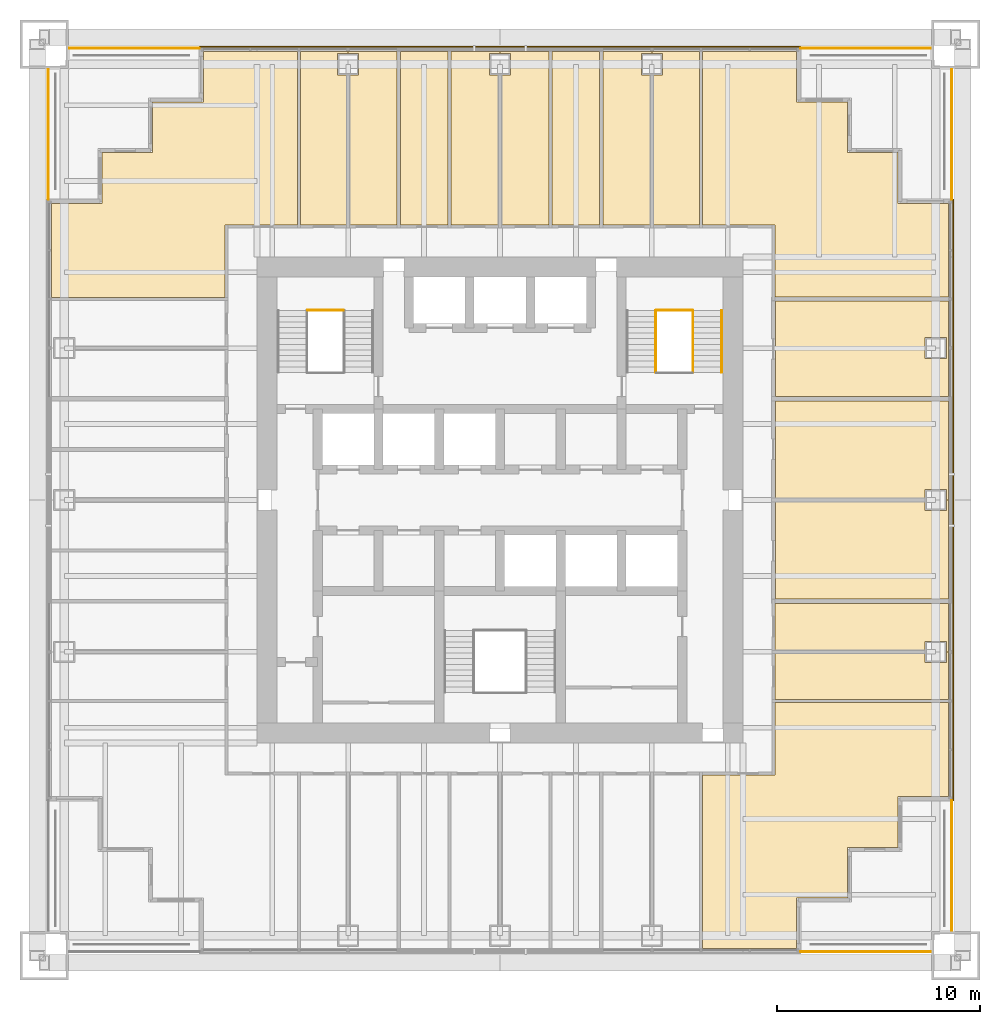
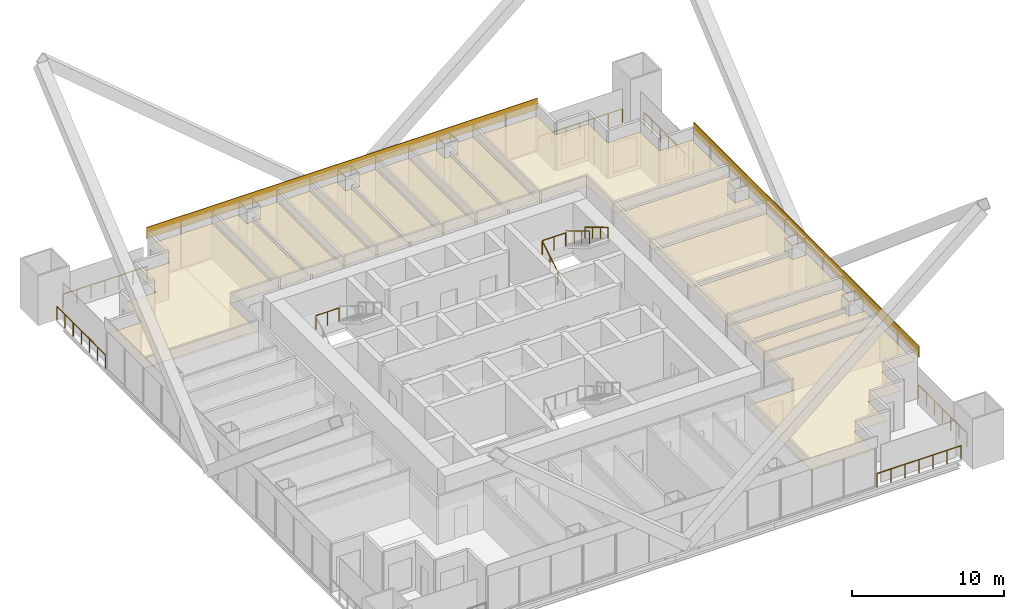
# One storey, part 17 of 17: 18 coverings, 11 railings.
"""IFC4 building model written with IfcOpenShell, lengths in metres."""

from ifc_helpers import new_model, si_unit, direction, frame, origin, origin_2d, place, context, subcontext, project, spatial, polyline, rectangle, circle, outline, extrude, material, layer, layer_set, type_object, element, save


model = new_model("IFC4")

# Units and contexts
model_context = context("Model", 3, precision=1e-05, world=origin(), true_north=direction((0.0, 1.0)))
body_context = subcontext(model_context, "Body", "Model", "MODEL_VIEW")
ifc_project = project(units=[si_unit("LENGTHUNIT", "METRE"), si_unit("AREAUNIT", "SQUARE_METRE"), si_unit("VOLUMEUNIT", "CUBIC_METRE"), si_unit("PLANEANGLEUNIT", "RADIAN"), si_unit("MASSUNIT", "GRAM", prefix="KILO")], contexts=[model_context])

# Site, building, storey
site_placement = place(None, origin())
site = spatial("IfcSite", under=ifc_project, at=site_placement, CompositionType="ELEMENT")
building_placement = place(site_placement, origin())
building = spatial("IfcBuilding", under=site, at=building_placement, Name="Tarangal Relay Tower", CompositionType="ELEMENT")
storey_placement = place(building_placement, frame((0.0, 0.0, 233.89990234375)))
storey = spatial("IfcBuildingStorey", under=building, at=storey_placement, Name="L50", CompositionType="ELEMENT", Elevation=233.89990234375)

# Coverings
ifc_material_1 = material(Name="Black anodised aluminium cladding", Category="aluminium")
ifc_layer_1 = layer(ifc_material_1, 0.050048828125)
ifc_layer_set_1 = layer_set([ifc_layer_1], Name="Black metal spandrel band")
covering_type_1 = type_object("IfcCoveringType", Name="Black metal spandrel band", PredefinedType="CLADDING", material=ifc_layer_set_1)
for number, where, z_axis, x_axis, name in (
    (1, (0.0, 22.375, 3.250244140625), (0.0, 0.0, 1.0), (1.0, 0.0, 0.0), "Spandrel band SB1 N L50"),
    (2, (22.375, 0.0, 3.250244140625), (0.0, 0.0, 1.0), (0.0, -1.0, 0.0), "Spandrel band SB1 E L50"),
):
    element("IfcCovering", number, at=place(storey_placement, frame(where, z_axis=z_axis, x_axis=x_axis)), inside=storey, type_object=covering_type_1, Name=name, PredefinedType="CLADDING", context=body_context, shape_type="SweptSolid", body=[
        extrude(rectangle(XDim=29.699951171875, YDim=0.050048828125, at=origin_2d()), origin(), (0.0, 0.0, 1.0), 0.89990234375),
    ])

# Railings
ifc_material_2 = material(Name="Steel guard, black finish", Category="steel")
railing_type_1 = type_object("IfcRailingType", Name="Stair guard 1100", PredefinedType="GUARDRAIL", material=ifc_material_2)
railing_1_placement = place(storey_placement, frame((-9.5, 9.376953125, 2.0)))
element("IfcRailing", 3, at=railing_1_placement, inside=storey, type_object=railing_type_1, Name="Stair ST-A landing guard GR1 L50", PredefinedType="GUARDRAIL", context=body_context, shape_type="SweptSolid", body=[
    extrude(circle(Radius=0.02392578125, at=origin_2d()), frame((0.0, 0.0, 1.076171875), z_axis=(1.0, 0.0, 0.0), x_axis=(0.0, 1.0, 0.0)), (0.0, 0.0, 1.0), 1.77490234375),
    extrude(circle(Radius=0.02099609375, at=origin_2d()), origin(), (0.0, 0.0, 1.0), 1.052001953125),
    extrude(circle(Radius=0.02099609375, at=origin_2d()), frame((0.887451171875, 0.0, 0.0)), (0.0, 0.0, 1.0), 1.052001953125),
    extrude(circle(Radius=0.02099609375, at=origin_2d()), frame((1.77490234375, 0.0, 0.0)), (0.0, 0.0, 1.0), 1.052001953125),
])
railing_2_placement = place(storey_placement, frame((7.695068359375, 6.300048828125, 0.166748046875)))
element("IfcRailing", 4, at=railing_2_placement, inside=storey, type_object=railing_type_1, Name="Stair ST-B guard GR1 L50 flight 1", PredefinedType="GUARDRAIL", context=body_context, shape_type="SweptSolid", body=[
    extrude(circle(Radius=0.02392578125, at=origin_2d()), frame((0.0, 0.0, 1.076171875), z_axis=(0.0, 0.85685617095, 0.515555527858), x_axis=(-1.0, 0.0, 0.0)), (0.0, 0.0, 1.0), 3.555908203125),
    extrude(circle(Radius=0.02099609375, at=origin_2d()), origin(), (0.0, 0.0, 1.0), 1.052001953125),
    extrude(circle(Radius=0.02099609375, at=origin_2d()), frame((0.0, 1.015625, 0.611083984375)), (0.0, 0.0, 1.0), 1.052001953125),
    extrude(circle(Radius=0.02099609375, at=origin_2d()), frame((0.0, 2.03125, 1.22216796875)), (0.0, 0.0, 1.0), 1.052001953125),
    extrude(circle(Radius=0.02099609375, at=origin_2d()), frame((0.0, 3.046875, 1.833251953125)), (0.0, 0.0, 1.0), 1.052001953125),
])
railing_3_placement = place(storey_placement, frame((9.530029296875, 9.346923828125, 2.166748046875)))
element("IfcRailing", 5, at=railing_3_placement, inside=storey, type_object=railing_type_1, Name="Stair ST-B guard GR1 L50 flight 2", PredefinedType="GUARDRAIL", context=body_context, shape_type="SweptSolid", body=[
    extrude(circle(Radius=0.02392578125, at=origin_2d()), frame((0.0, 0.0, 1.076171875), z_axis=(0.0, -0.85685617095, 0.515555527858), x_axis=(1.0, 0.0, 0.0)), (0.0, 0.0, 1.0), 3.555908203125),
    extrude(circle(Radius=0.02099609375, at=origin_2d()), origin(), (0.0, 0.0, 1.0), 1.052001953125),
    extrude(circle(Radius=0.02099609375, at=origin_2d()), frame((0.0, -1.015625, 0.611083984375)), (0.0, 0.0, 1.0), 1.052001953125),
    extrude(circle(Radius=0.02099609375, at=origin_2d()), frame((0.0, -2.03125, 1.22216796875)), (0.0, 0.0, 1.0), 1.052001953125),
    extrude(circle(Radius=0.02099609375, at=origin_2d()), frame((0.0, -3.046875, 1.833251953125)), (0.0, 0.0, 1.0), 1.052001953125),
])
railing_4_placement = place(storey_placement, frame((7.72509765625, 9.376953125, 2.0)))
element("IfcRailing", 6, at=railing_4_placement, inside=storey, type_object=railing_type_1, Name="Stair ST-B landing guard GR1 L50", PredefinedType="GUARDRAIL", context=body_context, shape_type="SweptSolid", body=[
    extrude(circle(Radius=0.02392578125, at=origin_2d()), frame((0.0, 0.0, 1.076171875), z_axis=(1.0, 0.0, 0.0), x_axis=(0.0, 1.0, 0.0)), (0.0, 0.0, 1.0), 1.77490234375),
    extrude(circle(Radius=0.02099609375, at=origin_2d()), origin(), (0.0, 0.0, 1.0), 1.052001953125),
    extrude(circle(Radius=0.02099609375, at=origin_2d()), frame((0.887451171875, 0.0, 0.0)), (0.0, 0.0, 1.0), 1.052001953125),
    extrude(circle(Radius=0.02099609375, at=origin_2d()), frame((1.77490234375, 0.0, 0.0)), (0.0, 0.0, 1.0), 1.052001953125),
])
ifc_material_3 = material(Name="Steel handrail, black finish", Category="steel")
railing_type_2 = type_object("IfcRailingType", Name="Stair handrail 900", PredefinedType="HANDRAIL", material=ifc_material_3)
railing_5_placement = place(storey_placement, frame((10.93994140625, 9.346923828125, 2.166748046875)))
element("IfcRailing", 7, at=railing_5_placement, inside=storey, type_object=railing_type_2, Name="Stair ST-B handrail HR1 L50 flight 2", PredefinedType="HANDRAIL", context=body_context, shape_type="SweptSolid", body=[
    extrude(circle(Radius=0.02392578125, at=origin_2d()), frame((0.0, 0.0, 0.8759765625), z_axis=(0.0, -0.85685617095, 0.515555527858), x_axis=(1.0, 0.0, 0.0)), (0.0, 0.0, 1.0), 3.555908203125),
    extrude(circle(Radius=0.02099609375, at=origin_2d()), origin(), (0.0, 0.0, 1.0), 0.851806640625),
    extrude(circle(Radius=0.02099609375, at=origin_2d()), frame((0.0, -1.015625, 0.611083984375)), (0.0, 0.0, 1.0), 0.851806640625),
    extrude(circle(Radius=0.02099609375, at=origin_2d()), frame((0.0, -2.03125, 1.22216796875)), (0.0, 0.0, 1.0), 0.851806640625),
    extrude(circle(Radius=0.02099609375, at=origin_2d()), frame((0.0, -3.046875, 1.833251953125)), (0.0, 0.0, 1.0), 0.851806640625),
])

# Coverings
ifc_material_4 = material(Name="Mineral fibre ceiling tiles", Category="gypsum")
ifc_layer_2 = layer(ifc_material_4, 0.02001953125)
ifc_layer_set_2 = layer_set([ifc_layer_2], Name="Suspended ceiling")
covering_type_2 = type_object("IfcCoveringType", Name="Suspended ceiling", PredefinedType="CEILING", material=ifc_layer_set_2)
covering_1_placement = place(storey_placement, frame((0.0, 0.0, 2.900146484375)))
element("IfcCovering", 8, at=covering_1_placement, inside=storey, type_object=covering_type_2, Name="Suspended ceiling CL1 L50-02", PredefinedType="CEILING", context=body_context, shape_type="SweptSolid", body=[
    extrude(outline(polyline([(-7.5, 22.14990234375), (-9.842041015625, 22.14990234375), (-9.842041015625, 13.574951171875), (-7.574951171875, 13.574951171875), (-7.574951171875, 20.989990234375), (-8.02490234375, 20.989990234375), (-8.02490234375, 22.0400390625), (-7.5, 22.0400390625), (-7.5, 22.14990234375)])), origin(), (0.0, 0.0, 1.0), 0.02001953125),
])
covering_2_placement = place(storey_placement, frame((0.0, 0.0, 2.900146484375)))
element("IfcCovering", 9, at=covering_2_placement, inside=storey, type_object=covering_type_2, Name="Suspended ceiling CL1 L50-03", PredefinedType="CEILING", context=body_context, shape_type="SweptSolid", body=[
    extrude(outline(polyline([(-5.074951171875, 22.14990234375), (-7.5, 22.14990234375), (-7.5, 22.0400390625), (-6.97509765625, 22.0400390625), (-6.97509765625, 20.989990234375), (-7.425048828125, 20.989990234375), (-7.425048828125, 13.574951171875), (-5.074951171875, 13.574951171875), (-5.074951171875, 22.14990234375)])), origin(), (0.0, 0.0, 1.0), 0.02001953125),
])
covering_3_placement = place(storey_placement, frame((0.0, 0.0, 2.900146484375)))
element("IfcCovering", 10, at=covering_3_placement, inside=storey, type_object=covering_type_2, Name="Suspended ceiling CL1 L50-04", PredefinedType="CEILING", context=body_context, shape_type="SweptSolid", body=[
    extrude(outline(polyline([(-4.925048828125, 22.14990234375), (-4.925048828125, 13.574951171875), (-2.574951171875, 13.574951171875), (-2.574951171875, 22.14990234375), (-4.925048828125, 22.14990234375)])), origin(), (0.0, 0.0, 1.0), 0.02001953125),
])
covering_4_placement = place(storey_placement, frame((0.0, 0.0, 2.900146484375)))
element("IfcCovering", 11, at=covering_4_placement, inside=storey, type_object=covering_type_2, Name="Suspended ceiling CL1 L50-05", PredefinedType="CEILING", context=body_context, shape_type="SweptSolid", body=[
    extrude(outline(polyline([(0.0, 22.14990234375), (-2.425048828125, 22.14990234375), (-2.425048828125, 13.574951171875), (-0.074951171875, 13.574951171875), (-0.074951171875, 20.989990234375), (-0.52490234375, 20.989990234375), (-0.52490234375, 22.0400390625), (0.0, 22.0400390625), (0.0, 22.14990234375)])), origin(), (0.0, 0.0, 1.0), 0.02001953125),
])
covering_5_placement = place(storey_placement, frame((0.0, 0.0, 2.900146484375)))
element("IfcCovering", 12, at=covering_5_placement, inside=storey, type_object=covering_type_2, Name="Suspended ceiling CL1 L50-06", PredefinedType="CEILING", context=body_context, shape_type="SweptSolid", body=[
    extrude(outline(polyline([(2.425048828125, 22.14990234375), (0.0, 22.14990234375), (0.0, 22.0400390625), (0.52490234375, 22.0400390625), (0.52490234375, 20.989990234375), (0.074951171875, 20.989990234375), (0.074951171875, 13.574951171875), (2.425048828125, 13.574951171875), (2.425048828125, 22.14990234375)])), origin(), (0.0, 0.0, 1.0), 0.02001953125),
])
covering_6_placement = place(storey_placement, frame((0.0, 0.0, 2.900146484375)))
element("IfcCovering", 13, at=covering_6_placement, inside=storey, type_object=covering_type_2, Name="Suspended ceiling CL1 L50-07", PredefinedType="CEILING", context=body_context, shape_type="SweptSolid", body=[
    extrude(outline(polyline([(2.574951171875, 22.14990234375), (2.574951171875, 13.574951171875), (4.925048828125, 13.574951171875), (4.925048828125, 22.14990234375), (2.574951171875, 22.14990234375)])), origin(), (0.0, 0.0, 1.0), 0.02001953125),
])
covering_7_placement = place(storey_placement, frame((0.0, 0.0, 2.900146484375)))
element("IfcCovering", 14, at=covering_7_placement, inside=storey, type_object=covering_type_2, Name="Suspended ceiling CL1 L50-08", PredefinedType="CEILING", context=body_context, shape_type="SweptSolid", body=[
    extrude(outline(polyline([(7.5, 22.14990234375), (5.074951171875, 22.14990234375), (5.074951171875, 13.574951171875), (7.425048828125, 13.574951171875), (7.425048828125, 20.989990234375), (6.97509765625, 20.989990234375), (6.97509765625, 22.0400390625), (7.5, 22.0400390625), (7.5, 22.14990234375)])), origin(), (0.0, 0.0, 1.0), 0.02001953125),
])
covering_8_placement = place(storey_placement, frame((0.0, 0.0, 2.900146484375)))
element("IfcCovering", 15, at=covering_8_placement, inside=storey, type_object=covering_type_2, Name="Suspended ceiling CL1 L50-09", PredefinedType="CEILING", context=body_context, shape_type="SweptSolid", body=[
    extrude(outline(polyline([(9.842041015625, 22.14990234375), (7.5, 22.14990234375), (7.5, 22.0400390625), (8.02490234375, 22.0400390625), (8.02490234375, 20.989990234375), (7.574951171875, 20.989990234375), (7.574951171875, 13.574951171875), (9.842041015625, 13.574951171875), (9.842041015625, 22.14990234375)])), origin(), (0.0, 0.0, 1.0), 0.02001953125),
])
covering_9_placement = place(storey_placement, frame((0.0, 0.0, 2.900146484375)))
element("IfcCovering", 16, at=covering_9_placement, inside=storey, type_object=covering_type_2, Name="Suspended ceiling CL1 L50-10", PredefinedType="CEILING", context=body_context, shape_type="SweptSolid", body=[
    extrude(outline(polyline([(22.14990234375, 5.10009765625), (22.14990234375, 9.81689453125), (13.60009765625, 9.81689453125), (13.60009765625, 5.10009765625), (22.14990234375, 5.10009765625)]), holes=[polyline([(22.0400390625, 8.02490234375), (20.989990234375, 8.02490234375), (20.989990234375, 6.97509765625), (22.0400390625, 6.97509765625), (22.0400390625, 8.02490234375)])]), origin(), (0.0, 0.0, 1.0), 0.02001953125),
])
covering_10_placement = place(storey_placement, frame((0.0, 0.0, 2.900146484375)))
element("IfcCovering", 17, at=covering_10_placement, inside=storey, type_object=covering_type_2, Name="Suspended ceiling CL1 L50-11", PredefinedType="CEILING", context=body_context, shape_type="SweptSolid", body=[
    extrude(outline(polyline([(22.14990234375, 0.0), (22.14990234375, 4.89990234375), (13.60009765625, 4.89990234375), (13.60009765625, 0.10009765625), (20.989990234375, 0.10009765625), (20.989990234375, 0.52490234375), (22.0400390625, 0.52490234375), (22.0400390625, 0.0), (22.14990234375, 0.0)])), origin(), (0.0, 0.0, 1.0), 0.02001953125),
])
covering_11_placement = place(storey_placement, frame((0.0, 0.0, 2.900146484375)))
element("IfcCovering", 18, at=covering_11_placement, inside=storey, type_object=covering_type_2, Name="Suspended ceiling CL1 L50-12", PredefinedType="CEILING", context=body_context, shape_type="SweptSolid", body=[
    extrude(outline(polyline([(22.14990234375, -4.89990234375), (22.14990234375, 0.0), (22.0400390625, 0.0), (22.0400390625, -0.52490234375), (20.989990234375, -0.52490234375), (20.989990234375, -0.10009765625), (13.60009765625, -0.10009765625), (13.60009765625, -4.89990234375), (22.14990234375, -4.89990234375)])), origin(), (0.0, 0.0, 1.0), 0.02001953125),
])
covering_12_placement = place(storey_placement, frame((0.0, 0.0, 2.900146484375)))
element("IfcCovering", 19, at=covering_12_placement, inside=storey, type_object=covering_type_2, Name="Suspended ceiling CL1 L50-13", PredefinedType="CEILING", context=body_context, shape_type="SweptSolid", body=[
    extrude(outline(polyline([(22.14990234375, -7.5), (22.14990234375, -5.10009765625), (13.574951171875, -5.10009765625), (13.574951171875, -7.425048828125), (20.989990234375, -7.425048828125), (20.989990234375, -6.97509765625), (22.0400390625, -6.97509765625), (22.0400390625, -7.5), (22.14990234375, -7.5)])), origin(), (0.0, 0.0, 1.0), 0.02001953125),
])
covering_13_placement = place(storey_placement, frame((0.0, 0.0, 2.900146484375)))
element("IfcCovering", 20, at=covering_13_placement, inside=storey, type_object=covering_type_2, Name="Suspended ceiling CL1 L50-14", PredefinedType="CEILING", context=body_context, shape_type="SweptSolid", body=[
    extrude(outline(polyline([(22.14990234375, -9.842041015625), (22.14990234375, -7.5), (22.0400390625, -7.5), (22.0400390625, -8.02490234375), (20.989990234375, -8.02490234375), (20.989990234375, -7.574951171875), (13.574951171875, -7.574951171875), (13.574951171875, -9.842041015625), (22.14990234375, -9.842041015625)])), origin(), (0.0, 0.0, 1.0), 0.02001953125),
])
covering_14_placement = place(storey_placement, frame((0.0, 0.0, 2.900146484375)))
element("IfcCovering", 21, at=covering_14_placement, inside=storey, type_object=covering_type_2, Name="Suspended ceiling CL1 L50-31", PredefinedType="CEILING", context=body_context, shape_type="SweptSolid", body=[
    extrude(outline(polyline([(14.64990234375, 22.14990234375), (9.991943359375, 22.14990234375), (9.991943359375, 13.574951171875), (13.574951171875, 13.574951171875), (13.574951171875, 10.01708984375), (22.14990234375, 10.01708984375), (22.14990234375, 14.64990234375), (19.64990234375, 14.64990234375), (19.64990234375, 17.14990234375), (17.14990234375, 17.14990234375), (17.14990234375, 19.64990234375), (14.64990234375, 19.64990234375), (14.64990234375, 22.14990234375)])), origin(), (0.0, 0.0, 1.0), 0.02001953125),
])
covering_15_placement = place(storey_placement, frame((0.0, 0.0, 2.900146484375)))
element("IfcCovering", 22, at=covering_15_placement, inside=storey, type_object=covering_type_2, Name="Suspended ceiling CL1 L50-32", PredefinedType="CEILING", context=body_context, shape_type="SweptSolid", body=[
    extrude(outline(polyline([(22.14990234375, -14.64990234375), (22.14990234375, -9.991943359375), (13.574951171875, -9.991943359375), (13.574951171875, -13.574951171875), (9.991943359375, -13.574951171875), (9.991943359375, -22.14990234375), (14.64990234375, -22.14990234375), (14.64990234375, -19.64990234375), (17.14990234375, -19.64990234375), (17.14990234375, -17.14990234375), (19.64990234375, -17.14990234375), (19.64990234375, -14.64990234375), (22.14990234375, -14.64990234375)])), origin(), (0.0, 0.0, 1.0), 0.02001953125),
])
covering_16_placement = place(storey_placement, frame((0.0, 0.0, 2.900146484375)))
element("IfcCovering", 23, at=covering_16_placement, inside=storey, type_object=covering_type_2, Name="Suspended ceiling CL1 L50-34", PredefinedType="CEILING", context=body_context, shape_type="SweptSolid", body=[
    extrude(outline(polyline([(-19.64990234375, 14.64990234375), (-22.14990234375, 14.64990234375), (-22.14990234375, 9.991943359375), (-13.574951171875, 9.991943359375), (-13.574951171875, 13.574951171875), (-9.991943359375, 13.574951171875), (-9.991943359375, 22.14990234375), (-14.64990234375, 22.14990234375), (-14.64990234375, 19.64990234375), (-17.14990234375, 19.64990234375), (-17.14990234375, 17.14990234375), (-19.64990234375, 17.14990234375), (-19.64990234375, 14.64990234375)])), origin(), (0.0, 0.0, 1.0), 0.02001953125),
])

# Railings
ifc_material_5 = material(Name="Black steel guard with glass infill", Category="steel")
railing_type_3 = type_object("IfcRailingType", Name="Terrace guard 1100", PredefinedType="GUARDRAIL", material=ifc_material_5)
railing_6_placement = place(storey_placement, frame((14.85009765625, 22.300048828125, 0.0)))
element("IfcRailing", 24, at=railing_6_placement, inside=storey, type_object=railing_type_3, Name="Terrace guard GR2 NE L50", PredefinedType="GUARDRAIL", context=body_context, shape_type="SweptSolid", body=[
    extrude(circle(Radius=0.02392578125, at=origin_2d()), frame((0.0, 0.0, 1.076171875), z_axis=(1.0, 0.0, 0.0), x_axis=(0.0, 1.0, 0.0)), (0.0, 0.0, 1.0), 6.39990234375),
    extrude(circle(Radius=0.02099609375, at=origin_2d()), origin(), (0.0, 0.0, 1.0), 1.052001953125),
    extrude(circle(Radius=0.02099609375, at=origin_2d()), frame((1.066650390625, 0.0, 0.0)), (0.0, 0.0, 1.0), 1.052001953125),
    extrude(circle(Radius=0.02099609375, at=origin_2d()), frame((2.13330078125, 0.0, 0.0)), (0.0, 0.0, 1.0), 1.052001953125),
    extrude(circle(Radius=0.02099609375, at=origin_2d()), frame((3.199951171875, 0.0, 0.0)), (0.0, 0.0, 1.0), 1.052001953125),
    extrude(circle(Radius=0.02099609375, at=origin_2d()), frame((4.2666015625, 0.0, 0.0)), (0.0, 0.0, 1.0), 1.052001953125),
    extrude(circle(Radius=0.02099609375, at=origin_2d()), frame((5.333251953125, 0.0, 0.0)), (0.0, 0.0, 1.0), 1.052001953125),
    extrude(circle(Radius=0.02099609375, at=origin_2d()), frame((6.39990234375, 0.0, 0.0)), (0.0, 0.0, 1.0), 1.052001953125),
])
for number, where, name in (
    (25, (22.300048828125, 21.25, 0.0), "Terrace guard GR2 NE L50"),
    (26, (22.300048828125, -14.85009765625, 0.0), "Terrace guard GR2 SE L50"),
):
    element("IfcRailing", number, at=place(storey_placement, frame(where)), inside=storey, type_object=railing_type_3, Name=name, PredefinedType="GUARDRAIL", context=body_context, shape_type="SweptSolid", body=[
        extrude(circle(Radius=0.02392578125, at=origin_2d()), frame((0.0, 0.0, 1.076171875), z_axis=(0.0, -1.0, 0.0), x_axis=(1.0, 0.0, 0.0)), (0.0, 0.0, 1.0), 6.39990234375),
        extrude(circle(Radius=0.02099609375, at=origin_2d()), origin(), (0.0, 0.0, 1.0), 1.052001953125),
        extrude(circle(Radius=0.02099609375, at=origin_2d()), frame((0.0, -1.066650390625, 0.0)), (0.0, 0.0, 1.0), 1.052001953125),
        extrude(circle(Radius=0.02099609375, at=origin_2d()), frame((0.0, -2.13330078125, 0.0)), (0.0, 0.0, 1.0), 1.052001953125),
        extrude(circle(Radius=0.02099609375, at=origin_2d()), frame((0.0, -3.199951171875, 0.0)), (0.0, 0.0, 1.0), 1.052001953125),
        extrude(circle(Radius=0.02099609375, at=origin_2d()), frame((0.0, -4.2666015625, 0.0)), (0.0, 0.0, 1.0), 1.052001953125),
        extrude(circle(Radius=0.02099609375, at=origin_2d()), frame((0.0, -5.333251953125, 0.0)), (0.0, 0.0, 1.0), 1.052001953125),
        extrude(circle(Radius=0.02099609375, at=origin_2d()), frame((0.0, -6.39990234375, 0.0)), (0.0, 0.0, 1.0), 1.052001953125),
    ])
railing_7_placement = place(storey_placement, frame((21.25, -22.300048828125, 0.0)))
element("IfcRailing", 27, at=railing_7_placement, inside=storey, type_object=railing_type_3, Name="Terrace guard GR2 SE L50", PredefinedType="GUARDRAIL", context=body_context, shape_type="SweptSolid", body=[
    extrude(circle(Radius=0.02392578125, at=origin_2d()), frame((0.0, 0.0, 1.076171875), z_axis=(-1.0, 0.0, 0.0), x_axis=(0.0, -1.0, 0.0)), (0.0, 0.0, 1.0), 6.39990234375),
    extrude(circle(Radius=0.02099609375, at=origin_2d()), origin(), (0.0, 0.0, 1.0), 1.052001953125),
    extrude(circle(Radius=0.02099609375, at=origin_2d()), frame((-1.066650390625, 0.0, 0.0)), (0.0, 0.0, 1.0), 1.052001953125),
    extrude(circle(Radius=0.02099609375, at=origin_2d()), frame((-2.13330078125, 0.0, 0.0)), (0.0, 0.0, 1.0), 1.052001953125),
    extrude(circle(Radius=0.02099609375, at=origin_2d()), frame((-3.199951171875, 0.0, 0.0)), (0.0, 0.0, 1.0), 1.052001953125),
    extrude(circle(Radius=0.02099609375, at=origin_2d()), frame((-4.2666015625, 0.0, 0.0)), (0.0, 0.0, 1.0), 1.052001953125),
    extrude(circle(Radius=0.02099609375, at=origin_2d()), frame((-5.333251953125, 0.0, 0.0)), (0.0, 0.0, 1.0), 1.052001953125),
    extrude(circle(Radius=0.02099609375, at=origin_2d()), frame((-6.39990234375, 0.0, 0.0)), (0.0, 0.0, 1.0), 1.052001953125),
])
railing_8_placement = place(storey_placement, frame((-22.300048828125, 14.85009765625, 0.0)))
element("IfcRailing", 28, at=railing_8_placement, inside=storey, type_object=railing_type_3, Name="Terrace guard GR2 NW L50", PredefinedType="GUARDRAIL", context=body_context, shape_type="SweptSolid", body=[
    extrude(circle(Radius=0.02392578125, at=origin_2d()), frame((0.0, 0.0, 1.076171875), z_axis=(0.0, 1.0, 0.0), x_axis=(-1.0, 0.0, 0.0)), (0.0, 0.0, 1.0), 6.39990234375),
    extrude(circle(Radius=0.02099609375, at=origin_2d()), origin(), (0.0, 0.0, 1.0), 1.052001953125),
    extrude(circle(Radius=0.02099609375, at=origin_2d()), frame((0.0, 1.066650390625, 0.0)), (0.0, 0.0, 1.0), 1.052001953125),
    extrude(circle(Radius=0.02099609375, at=origin_2d()), frame((0.0, 2.13330078125, 0.0)), (0.0, 0.0, 1.0), 1.052001953125),
    extrude(circle(Radius=0.02099609375, at=origin_2d()), frame((0.0, 3.199951171875, 0.0)), (0.0, 0.0, 1.0), 1.052001953125),
    extrude(circle(Radius=0.02099609375, at=origin_2d()), frame((0.0, 4.2666015625, 0.0)), (0.0, 0.0, 1.0), 1.052001953125),
    extrude(circle(Radius=0.02099609375, at=origin_2d()), frame((0.0, 5.333251953125, 0.0)), (0.0, 0.0, 1.0), 1.052001953125),
    extrude(circle(Radius=0.02099609375, at=origin_2d()), frame((0.0, 6.39990234375, 0.0)), (0.0, 0.0, 1.0), 1.052001953125),
])
railing_9_placement = place(storey_placement, frame((-21.25, 22.300048828125, 0.0)))
element("IfcRailing", 29, at=railing_9_placement, inside=storey, type_object=railing_type_3, Name="Terrace guard GR2 NW L50", PredefinedType="GUARDRAIL", context=body_context, shape_type="SweptSolid", body=[
    extrude(circle(Radius=0.02392578125, at=origin_2d()), frame((0.0, 0.0, 1.076171875), z_axis=(1.0, 0.0, 0.0), x_axis=(0.0, 1.0, 0.0)), (0.0, 0.0, 1.0), 6.39990234375),
    extrude(circle(Radius=0.02099609375, at=origin_2d()), origin(), (0.0, 0.0, 1.0), 1.052001953125),
    extrude(circle(Radius=0.02099609375, at=origin_2d()), frame((1.066650390625, 0.0, 0.0)), (0.0, 0.0, 1.0), 1.052001953125),
    extrude(circle(Radius=0.02099609375, at=origin_2d()), frame((2.13330078125, 0.0, 0.0)), (0.0, 0.0, 1.0), 1.052001953125),
    extrude(circle(Radius=0.02099609375, at=origin_2d()), frame((3.199951171875, 0.0, 0.0)), (0.0, 0.0, 1.0), 1.052001953125),
    extrude(circle(Radius=0.02099609375, at=origin_2d()), frame((4.2666015625, 0.0, 0.0)), (0.0, 0.0, 1.0), 1.052001953125),
    extrude(circle(Radius=0.02099609375, at=origin_2d()), frame((5.333251953125, 0.0, 0.0)), (0.0, 0.0, 1.0), 1.052001953125),
    extrude(circle(Radius=0.02099609375, at=origin_2d()), frame((6.39990234375, 0.0, 0.0)), (0.0, 0.0, 1.0), 1.052001953125),
])

save(model, "model.ifc")
